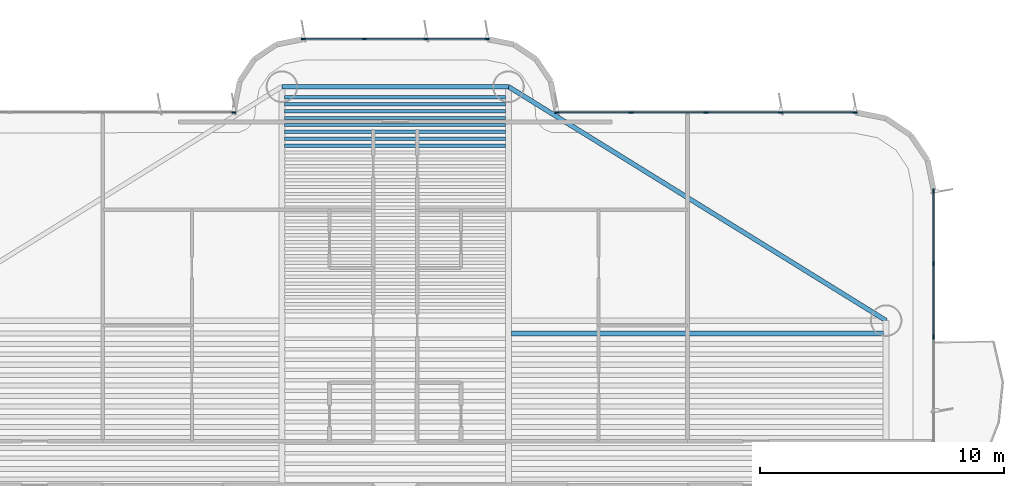
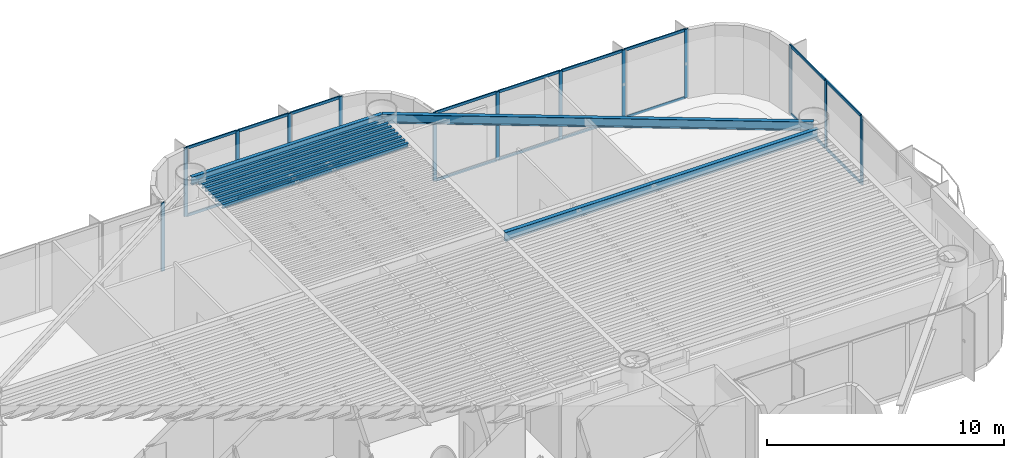
# One storey, part 7 of 17: 31 members, 11 beams, 4 elements without a shape of their own.
"""IFC4 building model written with IfcOpenShell, lengths in metres."""

from ifc_helpers import new_model, si_unit, direction, frame, origin, origin_2d, place, context, subcontext, project, spatial, rectangle, i_section, extrude, source, transform, mapped, material, layer, layer_set, material_profile, profile_set, type_object, element, aggregate, save


model = new_model("IFC4")

# Units and contexts
model_context = context("Model", 3, precision=1e-05, world=origin(), true_north=direction((0.0, 1.0)))
body_context = subcontext(model_context, "Body", "Model", "MODEL_VIEW")
ifc_project = project(units=[si_unit("LENGTHUNIT", "METRE"), si_unit("AREAUNIT", "SQUARE_METRE"), si_unit("VOLUMEUNIT", "CUBIC_METRE"), si_unit("PLANEANGLEUNIT", "RADIAN"), si_unit("MASSUNIT", "GRAM", prefix="KILO")], contexts=[model_context])

# Site, building, storey
site_placement = place(None, origin())
site = spatial("IfcSite", under=ifc_project, at=site_placement, CompositionType="ELEMENT")
building_placement = place(site_placement, origin())
building = spatial("IfcBuilding", under=site, at=building_placement, Name="Brelvock Crest Care Tower", CompositionType="ELEMENT")
storey_placement = place(building_placement, frame((0.0, 0.0, 97.3798828125)))
storey = spatial("IfcBuildingStorey", under=building, at=storey_placement, Name="L24", CompositionType="ELEMENT", Elevation=97.3798828125)

# Beams
ifc_material_1 = material(Name="Steel Grade 350", Category="steel")
ifc_material_profile_1 = material_profile(ifc_material_1, i_section(OverallWidth=0.177978515625, OverallDepth=0.406005859375, WebThickness=0.0078125, FlangeThickness=0.0126953125, FilletRadius=0.011474609375, at=origin_2d()), Name="410UB59.7")
ifc_profile_set_1 = profile_set([ifc_material_profile_1], Name="Steel Grade 350")
beam_type_1 = type_object("IfcBeamType", Name="BM-SP1", PredefinedType="SPANDREL", material=ifc_profile_set_1)
shared_shape_1 = source(origin(), body_context, "Body", "SweptSolid", [
    extrude(i_section(OverallWidth=0.177978515625, OverallDepth=0.406005859375, WebThickness=0.0078125, FlangeThickness=0.0126953125, FilletRadius=0.011474609375, at=origin_2d()), origin(), (0.0, 0.0, 1.0), 9.2998046875),
])
beam_1_placement = place(storey_placement, frame((31.35009765625, 48.449951171875, 3.3271484375), z_axis=(1.0, 0.0, 0.0), x_axis=(0.0, 1.0, 0.0)))
element("IfcBeam", 1, at=beam_1_placement, inside=storey, type_object=beam_type_1, Name="BM-TWR-L24-08", PredefinedType="SPANDREL", context=body_context, shape_type="MappedRepresentation", body=[
    mapped(shared_shape_1, transform((0.0, 0.0, 0.0), x_axis=(1.0, 0.0, 0.0), y_axis=(0.0, 1.0, 0.0), z_axis=(0.0, 0.0, 1.0), scale=1.0)),
])
ifc_material_profile_2 = material_profile(ifc_material_1, i_section(OverallWidth=0.134033203125, OverallDepth=0.20703125, WebThickness=0.00634765625, FlangeThickness=0.009521484375, FilletRadius=0.0087890625, at=origin_2d()), Name="200UB29.8")
ifc_profile_set_2 = profile_set([ifc_material_profile_2], Name="Steel Grade 350")
beam_type_2 = type_object("IfcBeamType", Name="BM-J4", PredefinedType="JOIST", material=ifc_profile_set_2)
shared_shape_2 = source(origin(), body_context, "Body", "SweptSolid", [
    extrude(i_section(OverallWidth=0.134033203125, OverallDepth=0.20703125, WebThickness=0.00634765625, FlangeThickness=0.009521484375, FilletRadius=0.0087890625, at=origin_2d()), origin(), (0.0, 0.0, 1.0), 9.06982421875),
])
for number, where, z_axis, x_axis, name in (
    (2, (31.465087890625, 46.03076171875, 3.426513671875), (1.0, 0.0, 0.0), (0.0, 1.0, 0.0), "BM-JN-L24-25"),
    (3, (31.465087890625, 46.31396484375, 3.426513671875), (1.0, 0.0, 0.0), (0.0, 1.0, 0.0), "BM-JN-L24-26"),
    (4, (31.465087890625, 46.59716796875, 3.426513671875), (1.0, 0.0, 0.0), (0.0, 1.0, 0.0), "BM-JN-L24-27"),
    (5, (31.465087890625, 46.88037109375, 3.426513671875), (1.0, 0.0, 0.0), (0.0, 1.0, 0.0), "BM-JN-L24-28"),
    (6, (31.465087890625, 47.16357421875, 3.426513671875), (1.0, 0.0, 0.0), (0.0, 1.0, 0.0), "BM-JN-L24-29"),
    (7, (31.465087890625, 47.44677734375, 3.426513671875), (1.0, 0.0, 0.0), (0.0, 1.0, 0.0), "BM-JN-L24-30"),
    (8, (31.465087890625, 47.72998046875, 3.426513671875), (1.0, 0.0, 0.0), (0.0, 1.0, 0.0), "BM-JN-L24-31"),
    (9, (31.465087890625, 48.01318359375, 3.426513671875), (1.0, 0.0, 0.0), (0.0, 1.0, 0.0), "BM-JN-L24-32"),
):
    element("IfcBeam", number, at=place(storey_placement, frame(where, z_axis=z_axis, x_axis=x_axis)), inside=storey, type_object=beam_type_2, Name=name, PredefinedType="JOIST", context=body_context, shape_type="MappedRepresentation", body=[
        mapped(shared_shape_2, transform((0.0, 0.0, 0.0), x_axis=(1.0, 0.0, 0.0), y_axis=(0.0, 1.0, 0.0), z_axis=(0.0, 0.0, 1.0), scale=1.0)),
    ])
ifc_material_profile_3 = material_profile(ifc_material_1, i_section(OverallWidth=0.19091796875, OverallDepth=0.4599609375, WebThickness=0.010009765625, FlangeThickness=0.01611328125, FilletRadius=0.011474609375, at=origin_2d()), Name="460UB82.1")
ifc_profile_set_3 = profile_set([ifc_material_profile_3], Name="Steel Grade 350")
beam_type_3 = type_object("IfcBeamType", Name="BM-G3", PredefinedType="BEAM", material=ifc_profile_set_3)
shared_shape_3 = source(origin(), body_context, "Body", "SweptSolid", [
    extrude(i_section(OverallWidth=0.19091796875, OverallDepth=0.4599609375, WebThickness=0.010009765625, FlangeThickness=0.01611328125, FilletRadius=0.011474609375, at=origin_2d()), origin(), (0.0, 0.0, 1.0), 15.27001953125),
])
beam_2_placement = place(storey_placement, frame((40.764892578125, 38.317626953125, 3.300048828125), z_axis=(1.0, 0.0, 0.0), x_axis=(0.0, 1.0, 0.0)))
element("IfcBeam", 10, at=beam_2_placement, inside=storey, type_object=beam_type_3, Name="BM-JE-L24-26", PredefinedType="BEAM", context=body_context, shape_type="MappedRepresentation", body=[
    mapped(shared_shape_3, transform((0.0, 0.0, 0.0), x_axis=(1.0, 0.0, 0.0), y_axis=(0.0, 1.0, 0.0), z_axis=(0.0, 0.0, 1.0), scale=1.0)),
])
ifc_material_profile_4 = material_profile(ifc_material_1, i_section(OverallWidth=0.19091796875, OverallDepth=0.4599609375, WebThickness=0.010009765625, FlangeThickness=0.01611328125, FilletRadius=0.011474609375, at=origin_2d()), Name="460UB82.1")
ifc_profile_set_4 = profile_set([ifc_material_profile_4], Name="Steel Grade 350")
beam_type_4 = type_object("IfcBeamType", Name="BM-SP2", PredefinedType="SPANDREL", material=ifc_profile_set_4)
shared_shape_4 = source(origin(), body_context, "Body", "SweptSolid", [
    extrude(i_section(OverallWidth=0.19091796875, OverallDepth=0.4599609375, WebThickness=0.010009765625, FlangeThickness=0.01611328125, FilletRadius=0.011474609375, at=origin_2d()), origin(), (0.0, 0.0, 1.0), 18.23193359375),
])
beam_3_placement = place(storey_placement, frame((40.64990234375, 48.449951171875, 3.300048828125), z_axis=(0.85015183248, -0.526537616635, 0.0), x_axis=(0.526537616635, 0.85015183248, 0.0)))
element("IfcBeam", 11, at=beam_3_placement, inside=storey, type_object=beam_type_4, Name="BM-TWR-L24-07", PredefinedType="SPANDREL", context=body_context, shape_type="MappedRepresentation", body=[
    mapped(shared_shape_4, transform((0.0, 0.0, 0.0), x_axis=(1.0, 0.0, 0.0), y_axis=(0.0, 1.0, 0.0), z_axis=(0.0, 0.0, 1.0), scale=1.0)),
])

# Curtain wall, member
ifc_material_2 = material(Name="Dark Glass Double Glazed Low-E", Category="glass")
ifc_layer = layer(ifc_material_2, 0.2099609375, Name="CWS-3")
ifc_layer_set = layer_set([ifc_layer], Name="Dark Glass Double Glazed Low-E")
curtain_wall_type = type_object("IfcCurtainWallType", Name="CWS-3", PredefinedType="NOTDEFINED", material=ifc_layer_set)
curtain_wall_1_placement = place(storey_placement, origin())
curtain_wall_1 = element("IfcCurtainWall", 12, at=curtain_wall_1_placement, inside=storey, type_object=curtain_wall_type, Name="L24 Curtain Wall E22", PredefinedType="NOTDEFINED")
ifc_material_3 = material(Name="Aluminium 6063-T6", Category="aluminium")
ifc_material_profile_5 = material_profile(ifc_material_3, rectangle(XDim=0.06005859375, YDim=0.179931640625, at=origin_2d()), Name="ALU60x180")
ifc_profile_set_5 = profile_set([ifc_material_profile_5], Name="Aluminium 6063-T6")
member_type_1 = type_object("IfcMemberType", Name="CWM-2", PredefinedType="MULLION", material=ifc_profile_set_5)
shared_shape_5 = source(origin(), body_context, "Body", "SweptSolid", [
    extrude(rectangle(XDim=0.06005859375, YDim=0.179931640625, at=origin_2d()), origin(), (0.0, 0.0, 1.0), 3.530029296875),
])
member_1_placement = place(storey_placement, frame((29.3701171875, 47.39990234375, 0.0), z_axis=(0.0, 0.0, 1.0), x_axis=(0.0, 1.0, 0.0)))
member_1 = element("IfcMember", 13, at=member_1_placement, type_object=member_type_1, Name="CW-3 mullion 5", PredefinedType="MULLION", context=body_context, shape_type="MappedRepresentation", body=[
    mapped(shared_shape_5, transform((0.0, 0.0, 0.0), x_axis=(1.0, 0.0, 0.0), y_axis=(0.0, 1.0, 0.0), z_axis=(0.0, 0.0, 1.0), scale=1.0)),
])
aggregate(curtain_wall_1, [member_1])

# Curtain wall, members
curtain_wall_2_placement = place(storey_placement, origin())
curtain_wall_2 = element("IfcCurtainWall", 14, at=curtain_wall_2_placement, inside=storey, type_object=curtain_wall_type, Name="L24 Curtain Wall E28", PredefinedType="NOTDEFINED")
member_2_placement = place(storey_placement, frame((32.22998046875, 50.39990234375, 0.0), z_axis=(0.0, 0.0, 1.0), x_axis=(0.0, 1.0, 0.0)))
member_2 = element("IfcMember", 15, at=member_2_placement, type_object=member_type_1, Name="CW-3 mullion 1", PredefinedType="MULLION", context=body_context, shape_type="MappedRepresentation", body=[
    mapped(shared_shape_5, transform((0.0, 0.0, 0.0), x_axis=(1.0, 0.0, 0.0), y_axis=(0.0, 1.0, 0.0), z_axis=(0.0, 0.0, 1.0), scale=1.0)),
])
member_3_placement = place(storey_placement, frame((34.7333984375, 50.39990234375, 0.0), z_axis=(0.0, 0.0, 1.0), x_axis=(0.0, 1.0, 0.0)))
member_3 = element("IfcMember", 16, at=member_3_placement, type_object=member_type_1, Name="CW-3 mullion 2", PredefinedType="MULLION", context=body_context, shape_type="MappedRepresentation", body=[
    mapped(shared_shape_5, transform((0.0, 0.0, 0.0), x_axis=(1.0, 0.0, 0.0), y_axis=(0.0, 1.0, 0.0), z_axis=(0.0, 0.0, 1.0), scale=1.0)),
])
member_4_placement = place(storey_placement, frame((37.2666015625, 50.39990234375, 0.0), z_axis=(0.0, 0.0, 1.0), x_axis=(0.0, 1.0, 0.0)))
member_4 = element("IfcMember", 17, at=member_4_placement, type_object=member_type_1, Name="CW-3 mullion 3", PredefinedType="MULLION", context=body_context, shape_type="MappedRepresentation", body=[
    mapped(shared_shape_5, transform((0.0, 0.0, 0.0), x_axis=(1.0, 0.0, 0.0), y_axis=(0.0, 1.0, 0.0), z_axis=(0.0, 0.0, 1.0), scale=1.0)),
])
member_5_placement = place(storey_placement, frame((39.77001953125, 50.39990234375, 0.0), z_axis=(0.0, 0.0, 1.0), x_axis=(0.0, 1.0, 0.0)))
member_5 = element("IfcMember", 18, at=member_5_placement, type_object=member_type_1, Name="CW-3 mullion 4", PredefinedType="MULLION", context=body_context, shape_type="MappedRepresentation", body=[
    mapped(shared_shape_5, transform((0.0, 0.0, 0.0), x_axis=(1.0, 0.0, 0.0), y_axis=(0.0, 1.0, 0.0), z_axis=(0.0, 0.0, 1.0), scale=1.0)),
])

curtain_wall_3_placement = place(storey_placement, origin())
curtain_wall_3 = element("IfcCurtainWall", 19, at=curtain_wall_3_placement, inside=storey, type_object=curtain_wall_type, Name="L24 Curtain Wall E34", PredefinedType="NOTDEFINED")
member_6_placement = place(storey_placement, frame((42.6298828125, 47.39990234375, 0.0), z_axis=(0.0, 0.0, 1.0), x_axis=(0.0, 1.0, 0.0)))
member_6 = element("IfcMember", 20, at=member_6_placement, type_object=member_type_1, Name="CW-3 mullion 1", PredefinedType="MULLION", context=body_context, shape_type="MappedRepresentation", body=[
    mapped(shared_shape_5, transform((0.0, 0.0, 0.0), x_axis=(1.0, 0.0, 0.0), y_axis=(0.0, 1.0, 0.0), z_axis=(0.0, 0.0, 1.0), scale=1.0)),
])
member_7_placement = place(storey_placement, frame((45.675048828125, 47.39990234375, 0.0), z_axis=(0.0, 0.0, 1.0), x_axis=(0.0, 1.0, 0.0)))
member_7 = element("IfcMember", 21, at=member_7_placement, type_object=member_type_1, Name="CW-3 mullion 2", PredefinedType="MULLION", context=body_context, shape_type="MappedRepresentation", body=[
    mapped(shared_shape_5, transform((0.0, 0.0, 0.0), x_axis=(1.0, 0.0, 0.0), y_axis=(0.0, 1.0, 0.0), z_axis=(0.0, 0.0, 1.0), scale=1.0)),
])
member_8_placement = place(storey_placement, frame((48.75, 47.39990234375, 0.0), z_axis=(0.0, 0.0, 1.0), x_axis=(0.0, 1.0, 0.0)))
member_8 = element("IfcMember", 22, at=member_8_placement, type_object=member_type_1, Name="CW-3 mullion 3", PredefinedType="MULLION", context=body_context, shape_type="MappedRepresentation", body=[
    mapped(shared_shape_5, transform((0.0, 0.0, 0.0), x_axis=(1.0, 0.0, 0.0), y_axis=(0.0, 1.0, 0.0), z_axis=(0.0, 0.0, 1.0), scale=1.0)),
])
member_9_placement = place(storey_placement, frame((51.824951171875, 47.39990234375, 0.0), z_axis=(0.0, 0.0, 1.0), x_axis=(0.0, 1.0, 0.0)))
member_9 = element("IfcMember", 23, at=member_9_placement, type_object=member_type_1, Name="CW-3 mullion 4", PredefinedType="MULLION", context=body_context, shape_type="MappedRepresentation", body=[
    mapped(shared_shape_5, transform((0.0, 0.0, 0.0), x_axis=(1.0, 0.0, 0.0), y_axis=(0.0, 1.0, 0.0), z_axis=(0.0, 0.0, 1.0), scale=1.0)),
])
member_10_placement = place(storey_placement, frame((54.8701171875, 47.39990234375, 0.0), z_axis=(0.0, 0.0, 1.0), x_axis=(0.0, 1.0, 0.0)))
member_10 = element("IfcMember", 24, at=member_10_placement, type_object=member_type_1, Name="CW-3 mullion 5", PredefinedType="MULLION", context=body_context, shape_type="MappedRepresentation", body=[
    mapped(shared_shape_5, transform((0.0, 0.0, 0.0), x_axis=(1.0, 0.0, 0.0), y_axis=(0.0, 1.0, 0.0), z_axis=(0.0, 0.0, 1.0), scale=1.0)),
])

curtain_wall_4_placement = place(storey_placement, origin())
curtain_wall_4 = element("IfcCurtainWall", 25, at=curtain_wall_4_placement, inside=storey, type_object=curtain_wall_type, Name="L24 Curtain Wall E39A", PredefinedType="NOTDEFINED")
member_11_placement = place(storey_placement, frame((58.10009765625, 44.169921875, 0.0), z_axis=(0.0, 0.0, 1.0), x_axis=(1.0, 0.0, 0.0)))
member_11 = element("IfcMember", 26, at=member_11_placement, type_object=member_type_1, Name="CW-3 mullion 1", PredefinedType="MULLION", context=body_context, shape_type="MappedRepresentation", body=[
    mapped(shared_shape_5, transform((0.0, 0.0, 0.0), x_axis=(1.0, 0.0, 0.0), y_axis=(0.0, 1.0, 0.0), z_axis=(0.0, 0.0, 1.0), scale=1.0)),
])
member_12_placement = place(storey_placement, frame((58.10009765625, 41.1875, 0.0), z_axis=(0.0, 0.0, 1.0), x_axis=(1.0, 0.0, 0.0)))
member_12 = element("IfcMember", 27, at=member_12_placement, type_object=member_type_1, Name="CW-3 mullion 2", PredefinedType="MULLION", context=body_context, shape_type="MappedRepresentation", body=[
    mapped(shared_shape_5, transform((0.0, 0.0, 0.0), x_axis=(1.0, 0.0, 0.0), y_axis=(0.0, 1.0, 0.0), z_axis=(0.0, 0.0, 1.0), scale=1.0)),
])
member_13_placement = place(storey_placement, frame((58.10009765625, 38.175048828125, 0.0), z_axis=(0.0, 0.0, 1.0), x_axis=(1.0, 0.0, 0.0)))
member_13 = element("IfcMember", 28, at=member_13_placement, type_object=member_type_1, Name="CW-3 mullion 3", PredefinedType="MULLION", context=body_context, shape_type="MappedRepresentation", body=[
    mapped(shared_shape_5, transform((0.0, 0.0, 0.0), x_axis=(1.0, 0.0, 0.0), y_axis=(0.0, 1.0, 0.0), z_axis=(0.0, 0.0, 1.0), scale=1.0)),
])
ifc_material_profile_6 = material_profile(ifc_material_3, rectangle(XDim=0.06005859375, YDim=0.139892578125, at=origin_2d()), Name="ALU60x140")
ifc_profile_set_6 = profile_set([ifc_material_profile_6], Name="Aluminium 6063-T6")
member_type_2 = type_object("IfcMemberType", Name="CWT-2", PredefinedType="USERDEFINED", material=ifc_profile_set_6)
shared_shape_6 = source(origin(), body_context, "Body", "SweptSolid", [
    extrude(rectangle(XDim=0.06005859375, YDim=0.139892578125, at=origin_2d()), origin(), (0.0, 0.0, 1.0), 2.952392578125),
])
member_14_placement = place(storey_placement, frame((58.10009765625, 41.157470703125, 0.030029296875), z_axis=(0.0, -1.0, 0.0), x_axis=(1.0, 0.0, 0.0)))
member_14 = element("IfcMember", 29, at=member_14_placement, type_object=member_type_2, Name="CW-3 transom 2.1", ObjectType="TRANSOM", PredefinedType="USERDEFINED", context=body_context, shape_type="MappedRepresentation", body=[
    mapped(shared_shape_6, transform((0.0, 0.0, 0.0), x_axis=(1.0, 0.0, 0.0), y_axis=(0.0, 1.0, 0.0), z_axis=(0.0, 0.0, 1.0), scale=1.0)),
])
member_15_placement = place(storey_placement, frame((58.10009765625, 41.157470703125, 3.5), z_axis=(0.0, -1.0, 0.0), x_axis=(1.0, 0.0, 0.0)))
member_15 = element("IfcMember", 30, at=member_15_placement, type_object=member_type_2, Name="CW-3 transom 2.2", ObjectType="TRANSOM", PredefinedType="USERDEFINED", context=body_context, shape_type="MappedRepresentation", body=[
    mapped(shared_shape_6, transform((0.0, 0.0, 0.0), x_axis=(1.0, 0.0, 0.0), y_axis=(0.0, 1.0, 0.0), z_axis=(0.0, 0.0, 1.0), scale=1.0)),
])
shared_shape_7 = source(origin(), body_context, "Body", "SweptSolid", [
    extrude(rectangle(XDim=0.06005859375, YDim=0.139892578125, at=origin_2d()), origin(), (0.0, 0.0, 1.0), 2.92236328125),
])
member_16_placement = place(storey_placement, frame((58.10009765625, 44.139892578125, 0.030029296875), z_axis=(0.0, -1.0, 0.0), x_axis=(1.0, 0.0, 0.0)))
member_16 = element("IfcMember", 31, at=member_16_placement, type_object=member_type_2, Name="CW-3 transom 1.1", ObjectType="TRANSOM", PredefinedType="USERDEFINED", context=body_context, shape_type="MappedRepresentation", body=[
    mapped(shared_shape_7, transform((0.0, 0.0, 0.0), x_axis=(1.0, 0.0, 0.0), y_axis=(0.0, 1.0, 0.0), z_axis=(0.0, 0.0, 1.0), scale=1.0)),
])
member_17_placement = place(storey_placement, frame((58.10009765625, 44.139892578125, 3.5), z_axis=(0.0, -1.0, 0.0), x_axis=(1.0, 0.0, 0.0)))
member_17 = element("IfcMember", 32, at=member_17_placement, type_object=member_type_2, Name="CW-3 transom 1.2", ObjectType="TRANSOM", PredefinedType="USERDEFINED", context=body_context, shape_type="MappedRepresentation", body=[
    mapped(shared_shape_7, transform((0.0, 0.0, 0.0), x_axis=(1.0, 0.0, 0.0), y_axis=(0.0, 1.0, 0.0), z_axis=(0.0, 0.0, 1.0), scale=1.0)),
])
aggregate(curtain_wall_4, [member_11, member_12, member_13, member_16, member_17, member_14, member_15])

# Member
shared_shape_8 = source(origin(), body_context, "Body", "SweptSolid", [
    extrude(rectangle(XDim=0.06005859375, YDim=0.139892578125, at=origin_2d()), origin(), (0.0, 0.0, 1.0), 2.985107421875),
])
member_18_placement = place(storey_placement, frame((42.659912109375, 47.39990234375, 0.030029296875), z_axis=(1.0, 0.0, 0.0), x_axis=(0.0, 1.0, 0.0)))
member_18 = element("IfcMember", 33, at=member_18_placement, type_object=member_type_2, Name="CW-3 transom 1.1", ObjectType="TRANSOM", PredefinedType="USERDEFINED", context=body_context, shape_type="MappedRepresentation", body=[
    mapped(shared_shape_8, transform((0.0, 0.0, 0.0), x_axis=(1.0, 0.0, 0.0), y_axis=(0.0, 1.0, 0.0), z_axis=(0.0, 0.0, 1.0), scale=1.0)),
])

member_19_placement = place(storey_placement, frame((42.659912109375, 47.39990234375, 3.5), z_axis=(1.0, 0.0, 0.0), x_axis=(0.0, 1.0, 0.0)))
member_19 = element("IfcMember", 34, at=member_19_placement, type_object=member_type_2, Name="CW-3 transom 1.2", ObjectType="TRANSOM", PredefinedType="USERDEFINED", context=body_context, shape_type="MappedRepresentation", body=[
    mapped(shared_shape_8, transform((0.0, 0.0, 0.0), x_axis=(1.0, 0.0, 0.0), y_axis=(0.0, 1.0, 0.0), z_axis=(0.0, 0.0, 1.0), scale=1.0)),
])

member_20_placement = place(storey_placement, frame((51.85498046875, 47.39990234375, 0.030029296875), z_axis=(1.0, 0.0, 0.0), x_axis=(0.0, 1.0, 0.0)))
member_20 = element("IfcMember", 35, at=member_20_placement, type_object=member_type_2, Name="CW-3 transom 4.1", ObjectType="TRANSOM", PredefinedType="USERDEFINED", context=body_context, shape_type="MappedRepresentation", body=[
    mapped(shared_shape_8, transform((0.0, 0.0, 0.0), x_axis=(1.0, 0.0, 0.0), y_axis=(0.0, 1.0, 0.0), z_axis=(0.0, 0.0, 1.0), scale=1.0)),
])

member_21_placement = place(storey_placement, frame((51.85498046875, 47.39990234375, 3.5), z_axis=(1.0, 0.0, 0.0), x_axis=(0.0, 1.0, 0.0)))
member_21 = element("IfcMember", 36, at=member_21_placement, type_object=member_type_2, Name="CW-3 transom 4.2", ObjectType="TRANSOM", PredefinedType="USERDEFINED", context=body_context, shape_type="MappedRepresentation", body=[
    mapped(shared_shape_8, transform((0.0, 0.0, 0.0), x_axis=(1.0, 0.0, 0.0), y_axis=(0.0, 1.0, 0.0), z_axis=(0.0, 0.0, 1.0), scale=1.0)),
])

shared_shape_9 = source(origin(), body_context, "Body", "SweptSolid", [
    extrude(rectangle(XDim=0.06005859375, YDim=0.139892578125, at=origin_2d()), origin(), (0.0, 0.0, 1.0), 3.014892578125),
])
member_22_placement = place(storey_placement, frame((45.705078125, 47.39990234375, 0.030029296875), z_axis=(1.0, 0.0, 0.0), x_axis=(0.0, 1.0, 0.0)))
member_22 = element("IfcMember", 37, at=member_22_placement, type_object=member_type_2, Name="CW-3 transom 2.1", ObjectType="TRANSOM", PredefinedType="USERDEFINED", context=body_context, shape_type="MappedRepresentation", body=[
    mapped(shared_shape_9, transform((0.0, 0.0, 0.0), x_axis=(1.0, 0.0, 0.0), y_axis=(0.0, 1.0, 0.0), z_axis=(0.0, 0.0, 1.0), scale=1.0)),
])

member_23_placement = place(storey_placement, frame((45.705078125, 47.39990234375, 3.5), z_axis=(1.0, 0.0, 0.0), x_axis=(0.0, 1.0, 0.0)))
member_23 = element("IfcMember", 38, at=member_23_placement, type_object=member_type_2, Name="CW-3 transom 2.2", ObjectType="TRANSOM", PredefinedType="USERDEFINED", context=body_context, shape_type="MappedRepresentation", body=[
    mapped(shared_shape_9, transform((0.0, 0.0, 0.0), x_axis=(1.0, 0.0, 0.0), y_axis=(0.0, 1.0, 0.0), z_axis=(0.0, 0.0, 1.0), scale=1.0)),
])

member_24_placement = place(storey_placement, frame((48.780029296875, 47.39990234375, 0.030029296875), z_axis=(1.0, 0.0, 0.0), x_axis=(0.0, 1.0, 0.0)))
member_24 = element("IfcMember", 39, at=member_24_placement, type_object=member_type_2, Name="CW-3 transom 3.1", ObjectType="TRANSOM", PredefinedType="USERDEFINED", context=body_context, shape_type="MappedRepresentation", body=[
    mapped(shared_shape_9, transform((0.0, 0.0, 0.0), x_axis=(1.0, 0.0, 0.0), y_axis=(0.0, 1.0, 0.0), z_axis=(0.0, 0.0, 1.0), scale=1.0)),
])

member_25_placement = place(storey_placement, frame((48.780029296875, 47.39990234375, 3.5), z_axis=(1.0, 0.0, 0.0), x_axis=(0.0, 1.0, 0.0)))
member_25 = element("IfcMember", 40, at=member_25_placement, type_object=member_type_2, Name="CW-3 transom 3.2", ObjectType="TRANSOM", PredefinedType="USERDEFINED", context=body_context, shape_type="MappedRepresentation", body=[
    mapped(shared_shape_9, transform((0.0, 0.0, 0.0), x_axis=(1.0, 0.0, 0.0), y_axis=(0.0, 1.0, 0.0), z_axis=(0.0, 0.0, 1.0), scale=1.0)),
])

aggregate(curtain_wall_3, [member_6, member_7, member_8, member_9, member_10, member_18, member_19, member_22, member_23, member_24, member_25, member_20, member_21])

shared_shape_10 = source(origin(), body_context, "Body", "SweptSolid", [
    extrude(rectangle(XDim=0.06005859375, YDim=0.139892578125, at=origin_2d()), origin(), (0.0, 0.0, 1.0), 2.443359375),
])
member_26_placement = place(storey_placement, frame((32.260009765625, 50.39990234375, 0.030029296875), z_axis=(1.0, 0.0, 0.0), x_axis=(0.0, 1.0, 0.0)))
member_26 = element("IfcMember", 41, at=member_26_placement, type_object=member_type_2, Name="CW-3 transom 1.1", ObjectType="TRANSOM", PredefinedType="USERDEFINED", context=body_context, shape_type="MappedRepresentation", body=[
    mapped(shared_shape_10, transform((0.0, 0.0, 0.0), x_axis=(1.0, 0.0, 0.0), y_axis=(0.0, 1.0, 0.0), z_axis=(0.0, 0.0, 1.0), scale=1.0)),
])

member_27_placement = place(storey_placement, frame((32.260009765625, 50.39990234375, 3.5), z_axis=(1.0, 0.0, 0.0), x_axis=(0.0, 1.0, 0.0)))
member_27 = element("IfcMember", 42, at=member_27_placement, type_object=member_type_2, Name="CW-3 transom 1.2", ObjectType="TRANSOM", PredefinedType="USERDEFINED", context=body_context, shape_type="MappedRepresentation", body=[
    mapped(shared_shape_10, transform((0.0, 0.0, 0.0), x_axis=(1.0, 0.0, 0.0), y_axis=(0.0, 1.0, 0.0), z_axis=(0.0, 0.0, 1.0), scale=1.0)),
])

member_28_placement = place(storey_placement, frame((37.296630859375, 50.39990234375, 0.030029296875), z_axis=(1.0, 0.0, 0.0), x_axis=(0.0, 1.0, 0.0)))
member_28 = element("IfcMember", 43, at=member_28_placement, type_object=member_type_2, Name="CW-3 transom 3.1", ObjectType="TRANSOM", PredefinedType="USERDEFINED", context=body_context, shape_type="MappedRepresentation", body=[
    mapped(shared_shape_10, transform((0.0, 0.0, 0.0), x_axis=(1.0, 0.0, 0.0), y_axis=(0.0, 1.0, 0.0), z_axis=(0.0, 0.0, 1.0), scale=1.0)),
])

member_29_placement = place(storey_placement, frame((37.296630859375, 50.39990234375, 3.5), z_axis=(1.0, 0.0, 0.0), x_axis=(0.0, 1.0, 0.0)))
member_29 = element("IfcMember", 44, at=member_29_placement, type_object=member_type_2, Name="CW-3 transom 3.2", ObjectType="TRANSOM", PredefinedType="USERDEFINED", context=body_context, shape_type="MappedRepresentation", body=[
    mapped(shared_shape_10, transform((0.0, 0.0, 0.0), x_axis=(1.0, 0.0, 0.0), y_axis=(0.0, 1.0, 0.0), z_axis=(0.0, 0.0, 1.0), scale=1.0)),
])

shared_shape_11 = source(origin(), body_context, "Body", "SweptSolid", [
    extrude(rectangle(XDim=0.06005859375, YDim=0.139892578125, at=origin_2d()), origin(), (0.0, 0.0, 1.0), 2.47314453125),
])
member_30_placement = place(storey_placement, frame((34.763427734375, 50.39990234375, 0.030029296875), z_axis=(1.0, 0.0, 0.0), x_axis=(0.0, 1.0, 0.0)))
member_30 = element("IfcMember", 45, at=member_30_placement, type_object=member_type_2, Name="CW-3 transom 2.1", ObjectType="TRANSOM", PredefinedType="USERDEFINED", context=body_context, shape_type="MappedRepresentation", body=[
    mapped(shared_shape_11, transform((0.0, 0.0, 0.0), x_axis=(1.0, 0.0, 0.0), y_axis=(0.0, 1.0, 0.0), z_axis=(0.0, 0.0, 1.0), scale=1.0)),
])

member_31_placement = place(storey_placement, frame((34.763427734375, 50.39990234375, 3.5), z_axis=(1.0, 0.0, 0.0), x_axis=(0.0, 1.0, 0.0)))
member_31 = element("IfcMember", 46, at=member_31_placement, type_object=member_type_2, Name="CW-3 transom 2.2", ObjectType="TRANSOM", PredefinedType="USERDEFINED", context=body_context, shape_type="MappedRepresentation", body=[
    mapped(shared_shape_11, transform((0.0, 0.0, 0.0), x_axis=(1.0, 0.0, 0.0), y_axis=(0.0, 1.0, 0.0), z_axis=(0.0, 0.0, 1.0), scale=1.0)),
])

aggregate(curtain_wall_2, [member_2, member_3, member_4, member_5, member_26, member_27, member_30, member_31, member_28, member_29])

save(model, "model.ifc")
